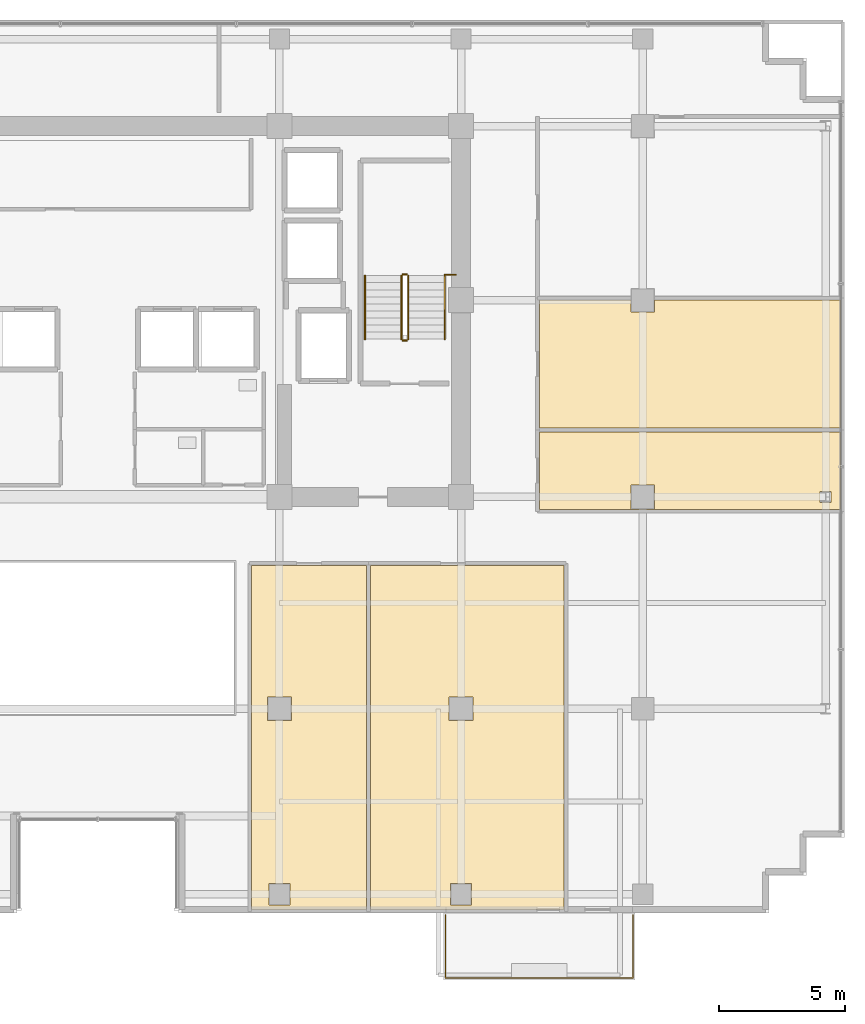
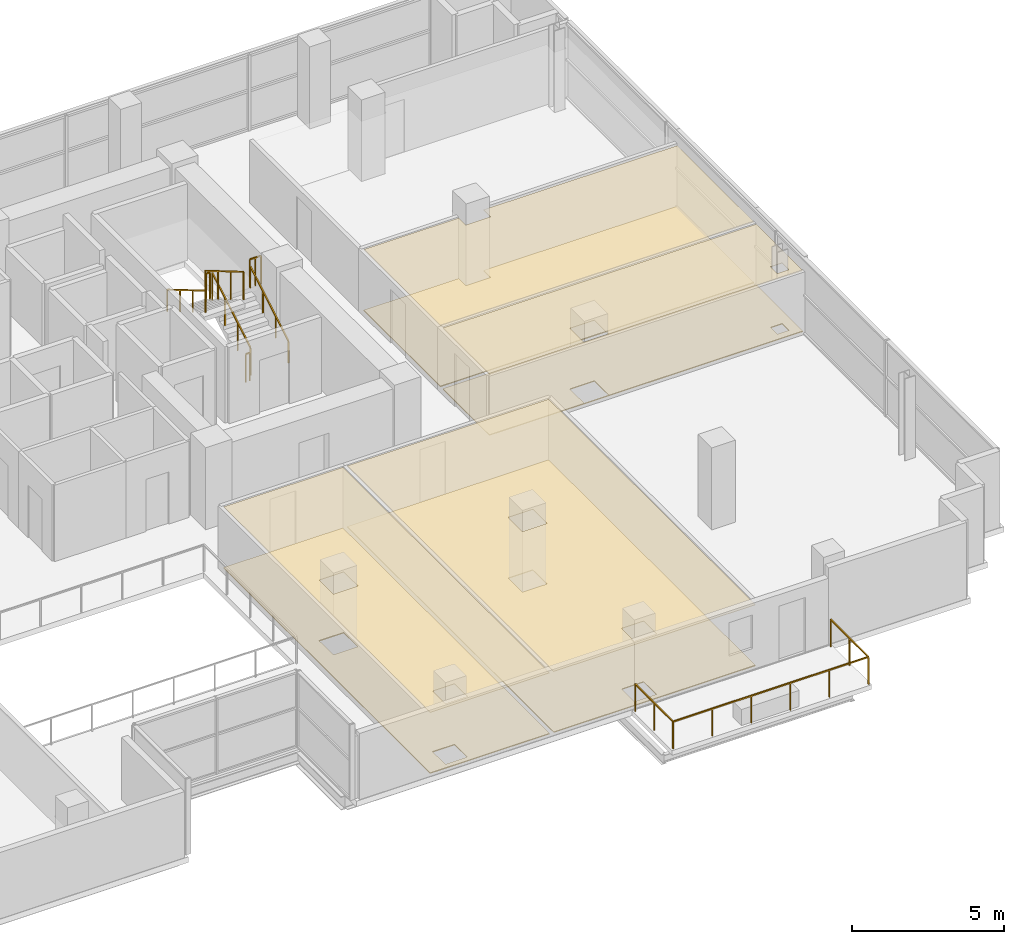
# One storey, part 21 of 23: 8 coverings, 8 railings.
"""IFC4 building model written with IfcOpenShell, lengths in metres."""

from ifc_helpers import new_model, si_unit, direction, frame, origin, origin_2d, place, context, subcontext, project, spatial, polyline, rectangle, outline, extrude, material, layer, layer_set, type_object, element, save


model = new_model("IFC4")

# Units and contexts
model_context = context("Model", 3, precision=1e-05, world=origin(), true_north=direction((0.0, 1.0)))
body_context = subcontext(model_context, "Body", "Model", "MODEL_VIEW")
ifc_project = project(units=[si_unit("LENGTHUNIT", "METRE"), si_unit("AREAUNIT", "SQUARE_METRE"), si_unit("VOLUMEUNIT", "CUBIC_METRE"), si_unit("PLANEANGLEUNIT", "RADIAN"), si_unit("MASSUNIT", "GRAM", prefix="KILO")], contexts=[model_context])

# Site, building, storey
site_placement = place(None, origin())
site = spatial("IfcSite", under=ifc_project, at=site_placement, CompositionType="ELEMENT")
building_placement = place(site_placement, origin())
building = spatial("IfcBuilding", under=site, at=building_placement, Name="Zarnakvel Exchange Tower", CompositionType="ELEMENT")
storey_placement = place(building_placement, frame((0.0, 0.0, 129.699951171875)))
storey = spatial("IfcBuildingStorey", under=building, at=storey_placement, Name="L36", CompositionType="ELEMENT", Elevation=129.699951171875)

# Coverings
ifc_material_1 = material(Name="Perforated Bronze Acoustic Metal Ceiling", Category="aluminium")
ifc_layer_1 = layer(ifc_material_1, 0.02001953125)
ifc_layer_set_1 = layer_set([ifc_layer_1], Name="Perforated Bronze Acoustic Metal Ceiling")
covering_type_1 = type_object("IfcCoveringType", Name="CLG-01", PredefinedType="CEILING", material=ifc_layer_set_1)
covering_1_placement = place(storey_placement, frame((0.0, 0.0, 2.455078125)))
element("IfcCovering", 1, at=covering_1_placement, inside=storey, type_object=covering_type_1, Name="L36 Suspended Acoustic Ceiling (Meeting Room)", PredefinedType="CEILING", context=body_context, shape_type="SweptSolid", body=[
    extrude(outline(polyline([(6.10009765625, -3.909912109375), (10.649169921875, -3.909912109375), (10.649169921875, -17.550048828125), (6.10009765625, -17.550048828125), (6.10009765625, -3.909912109375)]), holes=[polyline([(6.72998046875, -10.070068359375), (7.669921875, -10.070068359375), (7.669921875, -9.1298828125), (6.72998046875, -9.1298828125), (6.72998046875, -10.070068359375)]), polyline([(7.6201171875, -17.3701171875), (7.6201171875, -16.530029296875), (6.780029296875, -16.530029296875), (6.780029296875, -17.3701171875), (7.6201171875, -17.3701171875)])]), origin(), (0.0, 0.0, 1.0), 0.02001953125),
])
covering_2_placement = place(storey_placement, frame((0.0, 0.0, 2.455078125)))
element("IfcCovering", 2, at=covering_2_placement, inside=storey, type_object=covering_type_1, Name="L36 Suspended Acoustic Ceiling (Executive Office)", PredefinedType="CEILING", context=body_context, shape_type="SweptSolid", body=[
    extrude(outline(polyline([(10.80908203125, -3.909912109375), (18.48583984375, -3.909912109375), (18.48583984375, -17.550048828125), (10.80908203125, -17.550048828125), (10.80908203125, -3.909912109375)]), holes=[polyline([(13.929931640625, -10.070068359375), (14.8701171875, -10.070068359375), (14.8701171875, -9.1298828125), (13.929931640625, -9.1298828125), (13.929931640625, -10.070068359375)]), polyline([(14.820068359375, -17.3701171875), (14.820068359375, -16.530029296875), (13.97998046875, -16.530029296875), (13.97998046875, -17.3701171875), (14.820068359375, -17.3701171875)])]), origin(), (0.0, 0.0, 1.0), 0.02001953125),
])
covering_3_placement = place(storey_placement, frame((0.0, 0.0, 2.455078125)))
element("IfcCovering", 3, at=covering_3_placement, inside=storey, type_object=covering_type_1, Name="L36 Suspended Acoustic Ceiling (Staff Pantry)", PredefinedType="CEILING", context=body_context, shape_type="SweptSolid", body=[
    extrude(outline(polyline([(17.510009765625, 1.380126953125), (29.449951171875, 1.380126953125), (29.449951171875, -1.68994140625), (17.510009765625, -1.68994140625), (17.510009765625, 1.380126953125)]), holes=[polyline([(28.6279296875, -1.423583984375), (29.072021484375, -1.423583984375), (29.072021484375, -0.9765625), (28.6279296875, -0.9765625), (28.6279296875, -1.423583984375)]), polyline([(22.070068359375, -1.669921875), (22.070068359375, -0.72998046875), (21.1298828125, -0.72998046875), (21.1298828125, -1.669921875), (22.070068359375, -1.669921875)])]), origin(), (0.0, 0.0, 1.0), 0.02001953125),
])
covering_4_placement = place(storey_placement, frame((0.0, 0.0, 2.455078125)))
element("IfcCovering", 4, at=covering_4_placement, inside=storey, type_object=covering_type_1, Name="L36 Suspended Acoustic Ceiling (Risk Analytics Suite)", PredefinedType="CEILING", context=body_context, shape_type="SweptSolid", body=[
    extrude(outline(polyline([(17.510009765625, 6.5966796875), (21.1298828125, 6.5966796875), (21.1298828125, 6.1298828125), (22.070068359375, 6.1298828125), (22.070068359375, 6.5966796875), (29.449951171875, 6.5966796875), (29.449951171875, 1.5400390625), (17.510009765625, 1.5400390625), (17.510009765625, 6.5966796875)])), origin(), (0.0, 0.0, 1.0), 0.02001953125),
])
ifc_material_2 = material(Name="Heavy-Duty Raised Access Floor Panel", Category="steel")
ifc_layer_2 = layer(ifc_material_2, 0.034912109375)
ifc_layer_set_2 = layer_set([ifc_layer_2], Name="Heavy-Duty Raised Access Floor Panel")
covering_type_2 = type_object("IfcCoveringType", Name="FLR-02", PredefinedType="FLOORING", material=ifc_layer_set_2)
covering_5_placement = place(storey_placement, origin())
element("IfcCovering", 5, at=covering_5_placement, inside=storey, type_object=covering_type_2, Name="L36 Floor Finish (Meeting Room)", PredefinedType="FLOORING", context=body_context, shape_type="SweptSolid", body=[
    extrude(outline(polyline([(6.10009765625, -3.909912109375), (10.649169921875, -3.909912109375), (10.649169921875, -17.550048828125), (6.10009765625, -17.550048828125), (6.10009765625, -3.909912109375)]), holes=[polyline([(6.72998046875, -10.070068359375), (7.669921875, -10.070068359375), (7.669921875, -9.1298828125), (6.72998046875, -9.1298828125), (6.72998046875, -10.070068359375)]), polyline([(7.6201171875, -17.3701171875), (7.6201171875, -16.530029296875), (6.780029296875, -16.530029296875), (6.780029296875, -17.3701171875), (7.6201171875, -17.3701171875)])]), origin(), (0.0, 0.0, 1.0), 0.03515625),
])
covering_6_placement = place(storey_placement, origin())
element("IfcCovering", 6, at=covering_6_placement, inside=storey, type_object=covering_type_2, Name="L36 Floor Finish (Executive Office)", PredefinedType="FLOORING", context=body_context, shape_type="SweptSolid", body=[
    extrude(outline(polyline([(10.80908203125, -3.909912109375), (18.48583984375, -3.909912109375), (18.48583984375, -17.550048828125), (10.80908203125, -17.550048828125), (10.80908203125, -3.909912109375)]), holes=[polyline([(13.929931640625, -10.070068359375), (14.8701171875, -10.070068359375), (14.8701171875, -9.1298828125), (13.929931640625, -9.1298828125), (13.929931640625, -10.070068359375)]), polyline([(14.820068359375, -17.3701171875), (14.820068359375, -16.530029296875), (13.97998046875, -16.530029296875), (13.97998046875, -17.3701171875), (14.820068359375, -17.3701171875)])]), origin(), (0.0, 0.0, 1.0), 0.03515625),
])
covering_7_placement = place(storey_placement, origin())
element("IfcCovering", 7, at=covering_7_placement, inside=storey, type_object=covering_type_2, Name="L36 Floor Finish (Staff Pantry)", PredefinedType="FLOORING", context=body_context, shape_type="SweptSolid", body=[
    extrude(outline(polyline([(17.510009765625, 1.380126953125), (29.449951171875, 1.380126953125), (29.449951171875, -1.68994140625), (17.510009765625, -1.68994140625), (17.510009765625, 1.380126953125)]), holes=[polyline([(28.6279296875, -1.423583984375), (29.072021484375, -1.423583984375), (29.072021484375, -0.9765625), (28.6279296875, -0.9765625), (28.6279296875, -1.423583984375)]), polyline([(22.070068359375, -1.669921875), (22.070068359375, -0.72998046875), (21.1298828125, -0.72998046875), (21.1298828125, -1.669921875), (22.070068359375, -1.669921875)])]), origin(), (0.0, 0.0, 1.0), 0.03515625),
])
covering_8_placement = place(storey_placement, origin())
element("IfcCovering", 8, at=covering_8_placement, inside=storey, type_object=covering_type_2, Name="L36 Floor Finish (Risk Analytics Suite)", PredefinedType="FLOORING", context=body_context, shape_type="SweptSolid", body=[
    extrude(outline(polyline([(17.510009765625, 6.5966796875), (21.1298828125, 6.5966796875), (21.1298828125, 6.1298828125), (22.070068359375, 6.1298828125), (22.070068359375, 6.5966796875), (29.449951171875, 6.5966796875), (29.449951171875, 1.5400390625), (17.510009765625, 1.5400390625), (17.510009765625, 6.5966796875)])), origin(), (0.0, 0.0, 1.0), 0.03515625),
])

# Railings
ifc_material_3 = material(Name="Architectural Bronze Anodised Aluminium", Category="aluminium")
railing_type_1 = type_object("IfcRailingType", Name="GR-02", PredefinedType="GUARDRAIL", material=ifc_material_3)
railing_1_placement = place(storey_placement, frame((13.780029296875, -17.780029296875, -0.034912109375)))
element("IfcRailing", 9, at=railing_1_placement, inside=storey, type_object=railing_type_1, Name="L36 Balcony Guardrail BAL-L36-SE", PredefinedType="GUARDRAIL", context=body_context, shape_type="SweptSolid", body=[
    extrude(rectangle(XDim=0.048095703125, YDim=0.048095703125, at=origin_2d()), frame((0.0, 0.0, 1.09619140625), z_axis=(0.0, -1.0, 0.0), x_axis=(1.0, 0.0, 0.0)), (0.0, 0.0, 1.0), 2.489990234375),
    extrude(rectangle(XDim=0.048095703125, YDim=0.048095703125, at=origin_2d()), frame((0.0, -2.489990234375, 1.09619140625), z_axis=(1.0, 0.0, 0.0), x_axis=(0.0, 1.0, 0.0)), (0.0, 0.0, 1.0), 7.43994140625),
    extrude(rectangle(XDim=0.048095703125, YDim=0.048095703125, at=origin_2d()), frame((7.43994140625, -2.489990234375, 1.09619140625), z_axis=(0.0, 1.0, 0.0), x_axis=(-1.0, 0.0, 0.0)), (0.0, 0.0, 1.0), 2.489990234375),
    extrude(rectangle(XDim=0.0419921875, YDim=0.0419921875, at=origin_2d()), origin(), (0.0, 0.0, 1.0), 1.072021484375),
    extrude(rectangle(XDim=0.0419921875, YDim=0.0419921875, at=origin_2d()), frame((0.0, -1.2451171875, 0.0)), (0.0, 0.0, 1.0), 1.072021484375),
    extrude(rectangle(XDim=0.0419921875, YDim=0.0419921875, at=origin_2d()), frame((0.0, -2.489990234375, 0.0)), (0.0, 0.0, 1.0), 1.072021484375),
    extrude(rectangle(XDim=0.0419921875, YDim=0.0419921875, at=origin_2d()), frame((1.488037109375, -2.489990234375, 0.0)), (0.0, 0.0, 1.0), 1.072021484375),
    extrude(rectangle(XDim=0.0419921875, YDim=0.0419921875, at=origin_2d()), frame((2.97607421875, -2.489990234375, 0.0)), (0.0, 0.0, 1.0), 1.072021484375),
    extrude(rectangle(XDim=0.0419921875, YDim=0.0419921875, at=origin_2d()), frame((4.4638671875, -2.489990234375, 0.0)), (0.0, 0.0, 1.0), 1.072021484375),
    extrude(rectangle(XDim=0.0419921875, YDim=0.0419921875, at=origin_2d()), frame((5.951904296875, -2.489990234375, 0.0)), (0.0, 0.0, 1.0), 1.072021484375),
    extrude(rectangle(XDim=0.0419921875, YDim=0.0419921875, at=origin_2d()), frame((7.43994140625, -2.489990234375, 0.0)), (0.0, 0.0, 1.0), 1.072021484375),
    extrude(rectangle(XDim=0.0419921875, YDim=0.0419921875, at=origin_2d()), frame((7.43994140625, -1.2451171875, 0.0)), (0.0, 0.0, 1.0), 1.072021484375),
    extrude(rectangle(XDim=0.0419921875, YDim=0.0419921875, at=origin_2d()), frame((7.43994140625, 0.0, 0.0)), (0.0, 0.0, 1.0), 1.072021484375),
])
ifc_material_4 = material(Name="Brushed Stainless Steel", Category="steel")
railing_type_2 = type_object("IfcRailingType", Name="HR-01", PredefinedType="HANDRAIL", material=ifc_material_4)
railing_2_placement = place(storey_placement, frame((13.75, 5.050048828125, 0.1650390625)))
element("IfcRailing", 10, at=railing_2_placement, inside=storey, type_object=railing_type_2, Name="L36 ST-02 stair handrail 1", PredefinedType="HANDRAIL", context=body_context, shape_type="SweptSolid", body=[
    extrude(rectangle(XDim=0.048095703125, YDim=0.048095703125, at=origin_2d()), frame((0.0, 0.0, 0.8759765625), z_axis=(0.0, 0.86152411907, 0.507716645641), x_axis=(-1.0, 0.0, 0.0)), (0.0, 0.0, 1.0), 2.925048828125),
    extrude(rectangle(XDim=0.0419921875, YDim=0.0419921875, at=origin_2d()), origin(), (0.0, 0.0, 1.0), 0.851806640625),
    extrude(rectangle(XDim=0.0419921875, YDim=0.0419921875, at=origin_2d()), frame((0.0, 0.840087890625, 0.4951171875)), (0.0, 0.0, 1.0), 0.851806640625),
    extrude(rectangle(XDim=0.0419921875, YDim=0.0419921875, at=origin_2d()), frame((0.0, 1.679931640625, 0.989990234375)), (0.0, 0.0, 1.0), 0.851806640625),
    extrude(rectangle(XDim=0.0419921875, YDim=0.0419921875, at=origin_2d()), frame((0.0, 2.52001953125, 1.485107421875)), (0.0, 0.0, 1.0), 0.851806640625),
])
railing_3_placement = place(storey_placement, frame((10.590087890625, 7.570068359375, 1.81494140625)))
element("IfcRailing", 11, at=railing_3_placement, inside=storey, type_object=railing_type_2, Name="L36 ST-02 stair handrail 2", PredefinedType="HANDRAIL", context=body_context, shape_type="SweptSolid", body=[
    extrude(rectangle(XDim=0.048095703125, YDim=0.048095703125, at=origin_2d()), frame((0.0, 0.0, 0.8759765625), z_axis=(0.0, -0.86152411907, 0.507716645641), x_axis=(1.0, 0.0, 0.0)), (0.0, 0.0, 1.0), 2.925048828125),
    extrude(rectangle(XDim=0.0419921875, YDim=0.0419921875, at=origin_2d()), origin(), (0.0, 0.0, 1.0), 0.851806640625),
    extrude(rectangle(XDim=0.0419921875, YDim=0.0419921875, at=origin_2d()), frame((0.0, -0.840087890625, 0.4951171875)), (0.0, 0.0, 1.0), 0.851806640625),
    extrude(rectangle(XDim=0.0419921875, YDim=0.0419921875, at=origin_2d()), frame((0.0, -1.679931640625, 0.989990234375)), (0.0, 0.0, 1.0), 0.851806640625),
    extrude(rectangle(XDim=0.0419921875, YDim=0.0419921875, at=origin_2d()), frame((0.0, -2.52001953125, 1.485107421875)), (0.0, 0.0, 1.0), 0.851806640625),
])
railing_type_3 = type_object("IfcRailingType", Name="SG-01", PredefinedType="GUARDRAIL", material=ifc_material_3)
railing_4_placement = place(storey_placement, frame((12.300048828125, 5.050048828125, 0.1650390625)))
element("IfcRailing", 12, at=railing_4_placement, inside=storey, type_object=railing_type_3, Name="L36 ST-02 stair guard 1", PredefinedType="GUARDRAIL", context=body_context, shape_type="SweptSolid", body=[
    extrude(rectangle(XDim=0.048095703125, YDim=0.048095703125, at=origin_2d()), frame((0.0, 0.0, 1.1259765625), z_axis=(0.0, 0.86152411907, 0.507716645641), x_axis=(-1.0, 0.0, 0.0)), (0.0, 0.0, 1.0), 2.925048828125),
    extrude(rectangle(XDim=0.0419921875, YDim=0.0419921875, at=origin_2d()), origin(), (0.0, 0.0, 1.0), 1.101806640625),
    extrude(rectangle(XDim=0.0419921875, YDim=0.0419921875, at=origin_2d()), frame((0.0, 0.840087890625, 0.4951171875)), (0.0, 0.0, 1.0), 1.101806640625),
    extrude(rectangle(XDim=0.0419921875, YDim=0.0419921875, at=origin_2d()), frame((0.0, 1.679931640625, 0.989990234375)), (0.0, 0.0, 1.0), 1.101806640625),
    extrude(rectangle(XDim=0.0419921875, YDim=0.0419921875, at=origin_2d()), frame((0.0, 2.52001953125, 1.485107421875)), (0.0, 0.0, 1.0), 1.101806640625),
])
railing_5_placement = place(storey_placement, frame((12.25, 7.6201171875, 1.650146484375)))
element("IfcRailing", 13, at=railing_5_placement, inside=storey, type_object=railing_type_3, Name="L36 ST-02 stair guard 2", PredefinedType="GUARDRAIL", context=body_context, shape_type="SweptSolid", body=[
    extrude(rectangle(XDim=0.048095703125, YDim=0.048095703125, at=origin_2d()), frame((0.0, 0.0, 1.1259765625), z_axis=(-1.0, 0.0, 0.0), x_axis=(0.0, -1.0, 0.0)), (0.0, 0.0, 1.0), 0.159912109375),
    extrude(rectangle(XDim=0.0419921875, YDim=0.0419921875, at=origin_2d()), origin(), (0.0, 0.0, 1.0), 1.101806640625),
    extrude(rectangle(XDim=0.0419921875, YDim=0.0419921875, at=origin_2d()), frame((-0.159912109375, 0.0, 0.0)), (0.0, 0.0, 1.0), 1.101806640625),
])
railing_6_placement = place(storey_placement, frame((12.0400390625, 7.570068359375, 1.81494140625)))
element("IfcRailing", 14, at=railing_6_placement, inside=storey, type_object=railing_type_3, Name="L36 ST-02 stair guard 3", PredefinedType="GUARDRAIL", context=body_context, shape_type="SweptSolid", body=[
    extrude(rectangle(XDim=0.048095703125, YDim=0.048095703125, at=origin_2d()), frame((0.0, 0.0, 1.1259765625), z_axis=(0.0, -0.86152411907, 0.507716645641), x_axis=(1.0, 0.0, 0.0)), (0.0, 0.0, 1.0), 2.925048828125),
    extrude(rectangle(XDim=0.0419921875, YDim=0.0419921875, at=origin_2d()), origin(), (0.0, 0.0, 1.0), 1.101806640625),
    extrude(rectangle(XDim=0.0419921875, YDim=0.0419921875, at=origin_2d()), frame((0.0, -0.840087890625, 0.4951171875)), (0.0, 0.0, 1.0), 1.101806640625),
    extrude(rectangle(XDim=0.0419921875, YDim=0.0419921875, at=origin_2d()), frame((0.0, -1.679931640625, 0.989990234375)), (0.0, 0.0, 1.0), 1.101806640625),
    extrude(rectangle(XDim=0.0419921875, YDim=0.0419921875, at=origin_2d()), frame((0.0, -2.52001953125, 1.485107421875)), (0.0, 0.0, 1.0), 1.101806640625),
])
railing_7_placement = place(storey_placement, frame((12.25, 5.0, 0.0)))
element("IfcRailing", 15, at=railing_7_placement, inside=storey, type_object=railing_type_3, Name="L36 ST-02 stair guard 4", PredefinedType="GUARDRAIL", context=body_context, shape_type="SweptSolid", body=[
    extrude(rectangle(XDim=0.048095703125, YDim=0.048095703125, at=origin_2d()), frame((0.0, 0.0, 1.1259765625), z_axis=(-1.0, 0.0, 0.0), x_axis=(0.0, -1.0, 0.0)), (0.0, 0.0, 1.0), 0.159912109375),
    extrude(rectangle(XDim=0.0419921875, YDim=0.0419921875, at=origin_2d()), origin(), (0.0, 0.0, 1.0), 1.101806640625),
    extrude(rectangle(XDim=0.0419921875, YDim=0.0419921875, at=origin_2d()), frame((-0.159912109375, 0.0, 0.0)), (0.0, 0.0, 1.0), 1.101806640625),
])
railing_8_placement = place(storey_placement, frame((13.75, 7.610107421875, 1.650146484375)))
element("IfcRailing", 16, at=railing_8_placement, inside=storey, type_object=railing_type_3, Name="L36 ST-02 Landing Slot Guardrail", PredefinedType="GUARDRAIL", context=body_context, shape_type="SweptSolid", body=[
    extrude(rectangle(XDim=0.048095703125, YDim=0.048095703125, at=origin_2d()), frame((0.0, 0.0, 1.1259765625), z_axis=(1.0, 0.0, 0.0), x_axis=(0.0, 1.0, 0.0)), (0.0, 0.0, 1.0), 0.429931640625),
    extrude(rectangle(XDim=0.0419921875, YDim=0.0419921875, at=origin_2d()), origin(), (0.0, 0.0, 1.0), 1.101806640625),
    extrude(rectangle(XDim=0.0419921875, YDim=0.0419921875, at=origin_2d()), frame((0.21484375, 0.0, 0.0)), (0.0, 0.0, 1.0), 1.101806640625),
    extrude(rectangle(XDim=0.0419921875, YDim=0.0419921875, at=origin_2d()), frame((0.429931640625, 0.0, 0.0)), (0.0, 0.0, 1.0), 1.101806640625),
])

save(model, "model.ifc")
